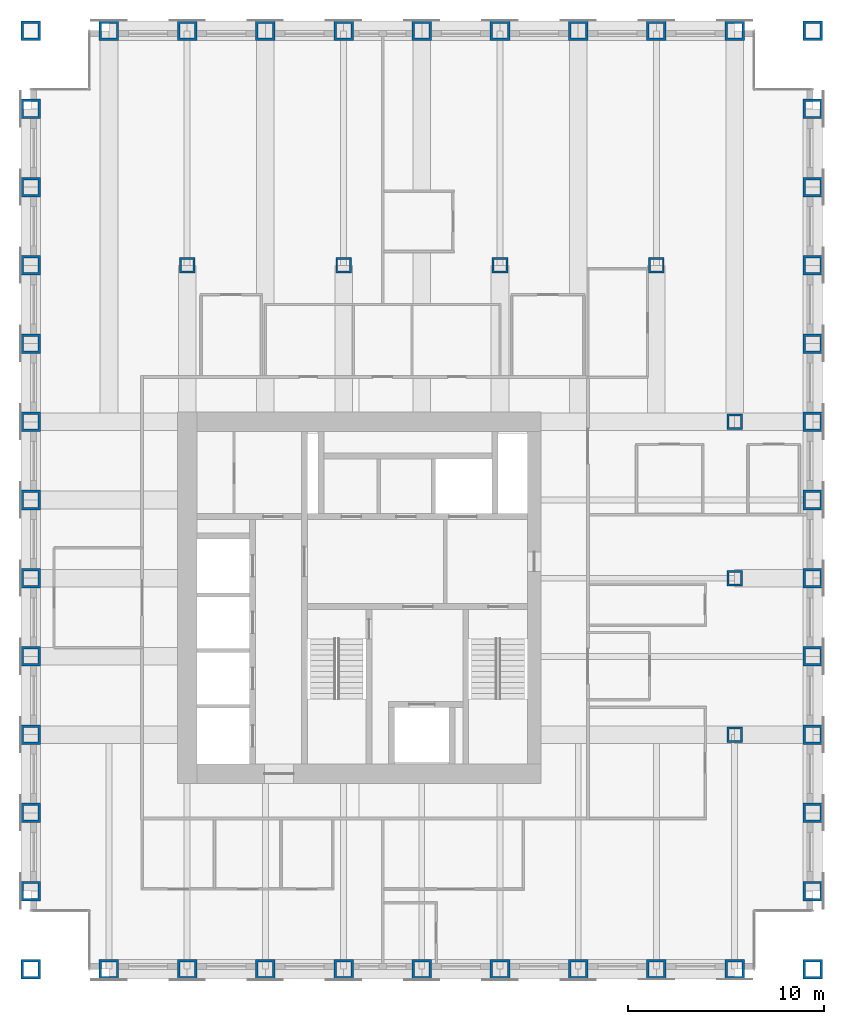
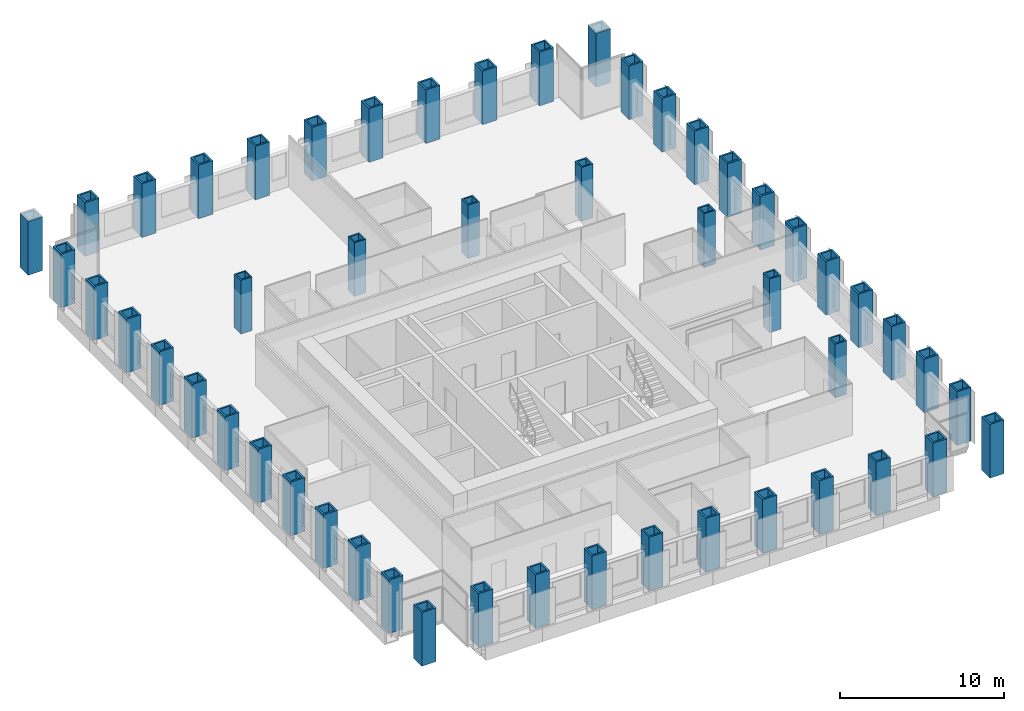
# One storey, part 1 of 14: 51 columns.
"""IFC4 building model written with IfcOpenShell, lengths in metres."""

from ifc_helpers import new_model, si_unit, direction, frame, origin, origin_2d, place, context, subcontext, project, spatial, hollow_rectangle, extrude, material, material_profile, profile_set, type_object, element, save


model = new_model("IFC4")

# Units and contexts
model_context = context("Model", 3, precision=1e-05, world=origin(), true_north=direction((0.0, 1.0)))
body_context = subcontext(model_context, "Body", "Model", "MODEL_VIEW")
ifc_project = project(units=[si_unit("LENGTHUNIT", "METRE"), si_unit("AREAUNIT", "SQUARE_METRE"), si_unit("VOLUMEUNIT", "CUBIC_METRE"), si_unit("PLANEANGLEUNIT", "RADIAN"), si_unit("MASSUNIT", "GRAM", prefix="KILO")], contexts=[model_context])

# Site, building, storey
site_placement = place(None, origin())
site = spatial("IfcSite", under=ifc_project, at=site_placement, CompositionType="ELEMENT")
building_placement = place(site_placement, origin())
building = spatial("IfcBuilding", under=site, at=building_placement, Name="Rimbunsela Tower", CompositionType="ELEMENT")
storey_placement = place(building_placement, frame((0.0, 0.0, 234.199951171875)))
storey = spatial("IfcBuildingStorey", under=building, at=storey_placement, Name="L56", CompositionType="ELEMENT", Elevation=234.199951171875)

# Columns
ifc_material_1 = material(Name="Steel BJ 55 (fy 410 MPa)", Category="steel")
ifc_material_profile_1 = material_profile(ifc_material_1, hollow_rectangle(XDim=1.0, YDim=1.0, WallThickness=0.125, at=origin_2d()), Name="BOX 1000x1000x125")
ifc_profile_set_1 = profile_set([ifc_material_profile_1], Name="Steel BJ 55 (fy 410 MPa)")
column_type_1 = type_object("IfcColumnType", Name="Column BOX 1000x1000x125", PredefinedType="COLUMN", material=ifc_profile_set_1)
for number, where, z_axis, x_axis, name in (
    (1, (10.0, 8.0, 0.0), (0.0, 0.0, 1.0), (1.0, 0.0, 0.0), "Column C8 5/D L56"),
    (2, (10.0, 12.0, 0.0), (0.0, 0.0, 1.0), (1.0, 0.0, 0.0), "Column C8 5/E L56"),
    (3, (10.0, 16.0, 0.0), (0.0, 0.0, 1.0), (1.0, 0.0, 0.0), "Column C8 5/F L56"),
    (4, (10.0, 20.0, 0.0), (0.0, 0.0, 1.0), (1.0, 0.0, 0.0), "Column C8 5/G L56"),
    (5, (10.0, 24.0, 0.0), (0.0, 0.0, 1.0), (1.0, 0.0, 0.0), "Column C8 5/H L56"),
    (6, (10.0, 28.0, 0.0), (0.0, 0.0, 1.0), (1.0, 0.0, 0.0), "Column C8 5/J L56"),
    (7, (10.0, 32.0, 0.0), (0.0, 0.0, 1.0), (1.0, 0.0, 0.0), "Column C8 5/K L56"),
    (8, (10.0, 36.0, 0.0), (0.0, 0.0, 1.0), (1.0, 0.0, 0.0), "Column C8 5/L L56"),
    (9, (10.0, 40.0, 0.0), (0.0, 0.0, 1.0), (1.0, 0.0, 0.0), "Column C8 5/M L56"),
    (10, (10.0, 44.0, 0.0), (0.0, 0.0, 1.0), (1.0, 0.0, 0.0), "Column C8 5/N L56"),
    (11, (10.0, 48.0, 0.0), (0.0, 0.0, 1.0), (1.0, 0.0, 0.0), "Column C8 5/P L56"),
    (12, (10.0, 52.0, 0.0), (0.0, 0.0, 1.0), (1.0, 0.0, 0.0), "Column C8 5/Q L56"),
    (13, (10.0, 56.0, 0.0), (0.0, 0.0, 1.0), (1.0, 0.0, 0.0), "Column C8 5/R L56"),
    (14, (14.0, 8.0, 0.0), (0.0, 0.0, 1.0), (1.0, 0.0, 0.0), "Column C8 6/D L56"),
    (15, (14.0, 56.0, 0.0), (0.0, 0.0, 1.0), (1.0, 0.0, 0.0), "Column C8 6/R L56"),
    (16, (18.0, 8.0, 0.0), (0.0, 0.0, 1.0), (1.0, 0.0, 0.0), "Column C8 7/D L56"),
    (17, (18.0, 56.0, 0.0), (0.0, 0.0, 1.0), (1.0, 0.0, 0.0), "Column C8 7/R L56"),
    (18, (22.0, 8.0, 0.0), (0.0, 0.0, 1.0), (1.0, 0.0, 0.0), "Column C8 8/D L56"),
    (19, (22.0, 56.0, 0.0), (0.0, 0.0, 1.0), (1.0, 0.0, 0.0), "Column C8 8/R L56"),
    (20, (26.0, 8.0, 0.0), (0.0, 0.0, 1.0), (1.0, 0.0, 0.0), "Column C8 9/D L56"),
    (21, (26.0, 56.0, 0.0), (0.0, 0.0, 1.0), (1.0, 0.0, 0.0), "Column C8 9/R L56"),
    (22, (30.0, 8.0, 0.0), (0.0, 0.0, 1.0), (1.0, 0.0, 0.0), "Column C8 10/D L56"),
    (23, (30.0, 56.0, 0.0), (0.0, 0.0, 1.0), (1.0, 0.0, 0.0), "Column C8 10/R L56"),
    (24, (34.0, 8.0, 0.0), (0.0, 0.0, 1.0), (1.0, 0.0, 0.0), "Column C8 11/D L56"),
    (25, (34.0, 56.0, 0.0), (0.0, 0.0, 1.0), (1.0, 0.0, 0.0), "Column C8 11/R L56"),
    (26, (38.0, 8.0, 0.0), (0.0, 0.0, 1.0), (1.0, 0.0, 0.0), "Column C8 12/D L56"),
    (27, (38.0, 56.0, 0.0), (0.0, 0.0, 1.0), (1.0, 0.0, 0.0), "Column C8 12/R L56"),
    (28, (42.0, 8.0, 0.0), (0.0, 0.0, 1.0), (1.0, 0.0, 0.0), "Column C8 13/D L56"),
    (29, (42.0, 56.0, 0.0), (0.0, 0.0, 1.0), (1.0, 0.0, 0.0), "Column C8 13/R L56"),
    (30, (46.0, 8.0, 0.0), (0.0, 0.0, 1.0), (1.0, 0.0, 0.0), "Column C8 14/D L56"),
    (31, (46.0, 56.0, 0.0), (0.0, 0.0, 1.0), (1.0, 0.0, 0.0), "Column C8 14/R L56"),
    (32, (50.0, 8.0, 0.0), (0.0, 0.0, 1.0), (1.0, 0.0, 0.0), "Column C8 15/D L56"),
    (33, (50.0, 12.0, 0.0), (0.0, 0.0, 1.0), (1.0, 0.0, 0.0), "Column C8 15/E L56"),
    (34, (50.0, 16.0, 0.0), (0.0, 0.0, 1.0), (1.0, 0.0, 0.0), "Column C8 15/F L56"),
    (35, (50.0, 20.0, 0.0), (0.0, 0.0, 1.0), (1.0, 0.0, 0.0), "Column C8 15/G L56"),
    (36, (50.0, 24.0, 0.0), (0.0, 0.0, 1.0), (1.0, 0.0, 0.0), "Column C8 15/H L56"),
    (37, (50.0, 28.0, 0.0), (0.0, 0.0, 1.0), (1.0, 0.0, 0.0), "Column C8 15/J L56"),
    (38, (50.0, 32.0, 0.0), (0.0, 0.0, 1.0), (1.0, 0.0, 0.0), "Column C8 15/K L56"),
    (39, (50.0, 36.0, 0.0), (0.0, 0.0, 1.0), (1.0, 0.0, 0.0), "Column C8 15/L L56"),
    (40, (50.0, 40.0, 0.0), (0.0, 0.0, 1.0), (1.0, 0.0, 0.0), "Column C8 15/M L56"),
    (41, (50.0, 44.0, 0.0), (0.0, 0.0, 1.0), (1.0, 0.0, 0.0), "Column C8 15/N L56"),
    (42, (50.0, 48.0, 0.0), (0.0, 0.0, 1.0), (1.0, 0.0, 0.0), "Column C8 15/P L56"),
    (43, (50.0, 52.0, 0.0), (0.0, 0.0, 1.0), (1.0, 0.0, 0.0), "Column C8 15/Q L56"),
    (44, (50.0, 56.0, 0.0), (0.0, 0.0, 1.0), (1.0, 0.0, 0.0), "Column C8 15/R L56"),
):
    element("IfcColumn", number, at=place(storey_placement, frame(where, z_axis=z_axis, x_axis=x_axis)), inside=storey, type_object=column_type_1, Name=name, PredefinedType="COLUMN", context=body_context, shape_type="SweptSolid", body=[
        extrude(hollow_rectangle(XDim=1.0, YDim=1.0, WallThickness=0.125, at=origin_2d()), origin(), (0.0, 0.0, 1.0), 4.0),
    ])
ifc_material_2 = material(Name="Steel BJ 55 (fy 410 MPa)", Category="steel")
ifc_material_profile_2 = material_profile(ifc_material_2, hollow_rectangle(XDim=0.800048828125, YDim=0.800048828125, WallThickness=0.10009765625, at=origin_2d()), Name="BOX 800x800x100")
ifc_profile_set_2 = profile_set([ifc_material_profile_2], Name="Steel BJ 55 (fy 410 MPa)")
column_type_2 = type_object("IfcColumnType", Name="Column BOX 800x800x100", PredefinedType="COLUMN", material=ifc_profile_set_2)
for number, where, z_axis, x_axis, name in (
    (45, (18.0, 44.0, 0.0), (0.0, 0.0, 1.0), (1.0, 0.0, 0.0), "Column C10 7/N L56"),
    (46, (26.0, 44.0, 0.0), (0.0, 0.0, 1.0), (1.0, 0.0, 0.0), "Column C10 9/N L56"),
    (47, (34.0, 44.0, 0.0), (0.0, 0.0, 1.0), (1.0, 0.0, 0.0), "Column C10 11/N L56"),
    (48, (42.0, 44.0, 0.0), (0.0, 0.0, 1.0), (1.0, 0.0, 0.0), "Column C10 13/N L56"),
    (49, (46.0, 20.0, 0.0), (0.0, 0.0, 1.0), (1.0, 0.0, 0.0), "Column C10 14/G L56"),
    (50, (46.0, 28.0, 0.0), (0.0, 0.0, 1.0), (1.0, 0.0, 0.0), "Column C10 14/J L56"),
    (51, (46.0, 36.0, 0.0), (0.0, 0.0, 1.0), (1.0, 0.0, 0.0), "Column C10 14/L L56"),
):
    element("IfcColumn", number, at=place(storey_placement, frame(where, z_axis=z_axis, x_axis=x_axis)), inside=storey, type_object=column_type_2, Name=name, PredefinedType="COLUMN", context=body_context, shape_type="SweptSolid", body=[
        extrude(hollow_rectangle(XDim=0.800048828125, YDim=0.800048828125, WallThickness=0.10009765625, at=origin_2d()), origin(), (0.0, 0.0, 1.0), 4.0),
    ])

save(model, "model.ifc")
